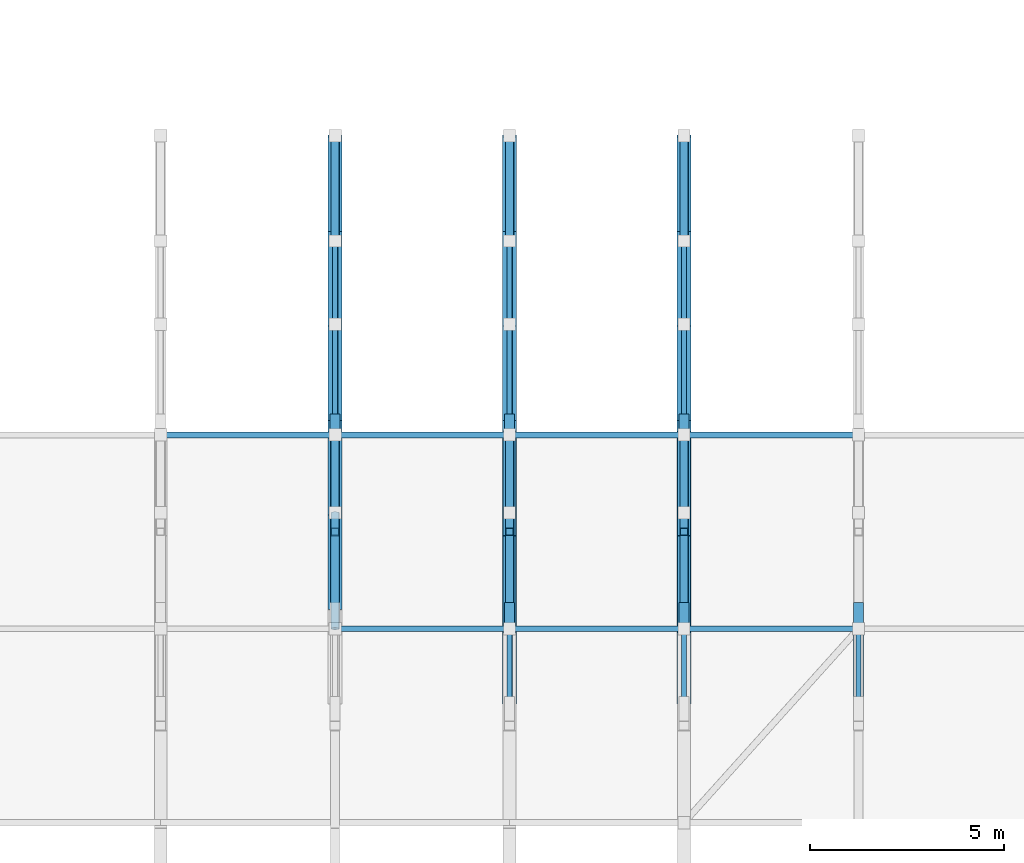
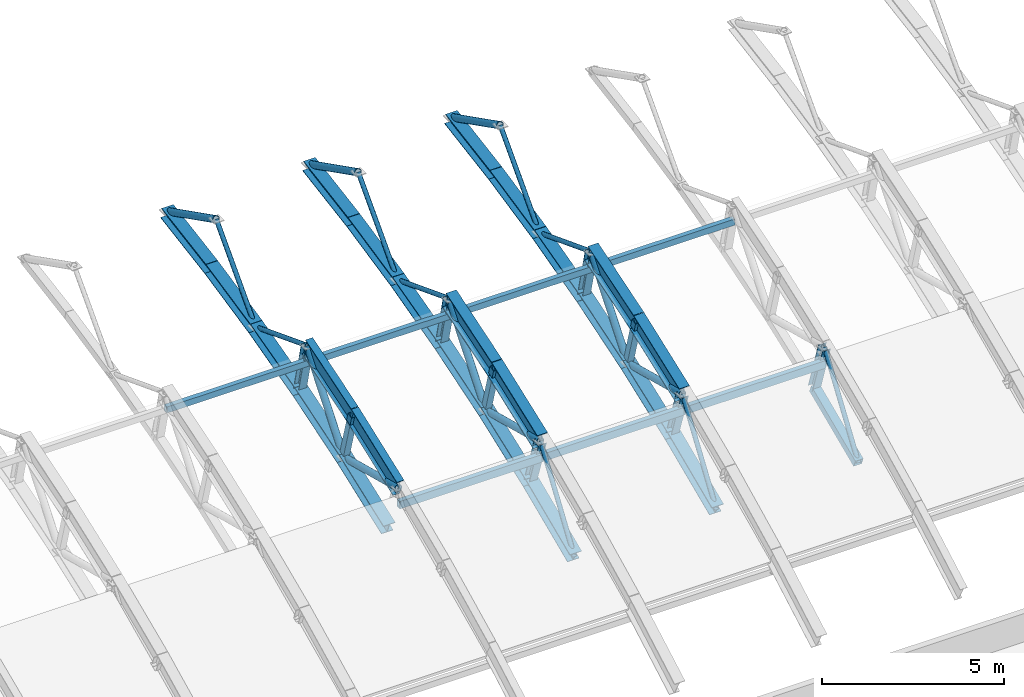
# One storey, part 39 of 103: 52 members, 6 beams.
"""IFC4 building model written with IfcOpenShell, lengths in metres."""

from ifc_helpers import new_model, si_unit, direction, frame, origin, origin_2d, place, context, subcontext, project, spatial, hollow_rectangle, hollow_circle, i_section, extrude, material, material_profile, profile_set, type_object, element, save


model = new_model("IFC4")

# Units and contexts
model_context = context("Model", 3, precision=1e-05, world=origin(), true_north=direction((0.0, 1.0)))
body_context = subcontext(model_context, "Body", "Model", "MODEL_VIEW")
ifc_project = project(units=[si_unit("LENGTHUNIT", "METRE"), si_unit("AREAUNIT", "SQUARE_METRE"), si_unit("VOLUMEUNIT", "CUBIC_METRE"), si_unit("PLANEANGLEUNIT", "RADIAN"), si_unit("MASSUNIT", "GRAM", prefix="KILO")], contexts=[model_context])

# Site, building, storey
site_placement = place(None, origin())
site = spatial("IfcSite", under=ifc_project, at=site_placement, CompositionType="ELEMENT")
building_placement = place(site_placement, origin())
building = spatial("IfcBuilding", under=site, at=building_placement, Name="Cazmaro Siding Exhibition Halls", CompositionType="ELEMENT")
storey_placement = place(building_placement, frame((0.0, 0.0, 16.5)))
storey = spatial("IfcBuildingStorey", under=building, at=storey_placement, Name="L03", CompositionType="ELEMENT", Elevation=16.5)

# Beams
ifc_material_1 = material(Name="Steel ASTM A992 Grade 50", Category="steel")
ifc_material_profile_1 = material_profile(ifc_material_1, i_section(OverallWidth=0.327880859375, OverallDepth=0.626953125, WebThickness=0.01708984375, FlangeThickness=0.028076171875, at=origin_2d()), Name="W24X146")
ifc_profile_set_1 = profile_set([ifc_material_profile_1], Name="Steel ASTM A992 Grade 50")
beam_type_1 = type_object("IfcBeamType", Name="AR-01", PredefinedType="USERDEFINED", material=ifc_profile_set_1)
beam_1_placement = place(storey_placement, frame((72.0, 74.0, 3.1220703125), z_axis=(0.0, 0.936509460339, 0.350642311615), x_axis=(-1.0, 0.0, 0.0)))
element("IfcBeam", 1, at=beam_1_placement, inside=storey, type_object=beam_type_1, Name="Space frame barrel vault arched rib AR-01 BM-0683", ObjectType="ARCHED RIB", PredefinedType="USERDEFINED", context=body_context, shape_type="SweptSolid", body=[
    extrude(i_section(OverallWidth=0.327880859375, OverallDepth=0.626953125, WebThickness=0.01708984375, FlangeThickness=0.028076171875, at=origin_2d()), origin(), (0.0, 0.0, 1.0), 2.66943359375),
])
beam_2_placement = place(storey_placement, frame((72.0, 76.5, 4.05810546875), z_axis=(0.0, 0.952769241759, 0.303695195811), x_axis=(-1.0, 0.0, 0.0)))
element("IfcBeam", 2, at=beam_2_placement, inside=storey, type_object=beam_type_1, Name="Space frame barrel vault arched rib AR-01 BM-0684", ObjectType="ARCHED RIB", PredefinedType="USERDEFINED", context=body_context, shape_type="SweptSolid", body=[
    extrude(i_section(OverallWidth=0.327880859375, OverallDepth=0.626953125, WebThickness=0.01708984375, FlangeThickness=0.028076171875, at=origin_2d()), origin(), (0.0, 0.0, 1.0), 2.6240234375),
])
ifc_material_2 = material(Name="Steel ASTM A992 Grade 50", Category="steel")
ifc_material_profile_2 = material_profile(ifc_material_2, i_section(OverallWidth=0.324951171875, OverallDepth=0.612060546875, WebThickness=0.012939453125, FlangeThickness=0.01904296875, at=origin_2d()), Name="W24X104")
ifc_profile_set_2 = profile_set([ifc_material_profile_2], Name="Steel ASTM A992 Grade 50")
beam_type_2 = type_object("IfcBeamType", Name="AR-02", PredefinedType="USERDEFINED", material=ifc_profile_set_2)
beam_3_placement = place(storey_placement, frame((76.5, 74.0, 3.1220703125), z_axis=(0.0, 0.936509460339, 0.350642311615), x_axis=(-1.0, 0.0, 0.0)))
element("IfcBeam", 3, at=beam_3_placement, inside=storey, type_object=beam_type_2, Name="Space frame barrel vault arched rib AR-02 BM-0707", ObjectType="ARCHED RIB", PredefinedType="USERDEFINED", context=body_context, shape_type="SweptSolid", body=[
    extrude(i_section(OverallWidth=0.324951171875, OverallDepth=0.612060546875, WebThickness=0.012939453125, FlangeThickness=0.01904296875, at=origin_2d()), origin(), (0.0, 0.0, 1.0), 2.66943359375),
])
beam_4_placement = place(storey_placement, frame((76.5, 76.5, 4.05810546875), z_axis=(0.0, 0.952769241759, 0.303695195811), x_axis=(-1.0, 0.0, 0.0)))
element("IfcBeam", 4, at=beam_4_placement, inside=storey, type_object=beam_type_2, Name="Space frame barrel vault arched rib AR-02 BM-0708", ObjectType="ARCHED RIB", PredefinedType="USERDEFINED", context=body_context, shape_type="SweptSolid", body=[
    extrude(i_section(OverallWidth=0.324951171875, OverallDepth=0.612060546875, WebThickness=0.012939453125, FlangeThickness=0.01904296875, at=origin_2d()), origin(), (0.0, 0.0, 1.0), 2.6240234375),
])
ifc_material_3 = material(Name="Steel ASTM A992 Grade 50", Category="steel")
ifc_material_profile_3 = material_profile(ifc_material_3, i_section(OverallWidth=0.22900390625, OverallDepth=0.612060546875, WebThickness=0.011962890625, FlangeThickness=0.02001953125, at=origin_2d()), Name="W24X84")
ifc_profile_set_3 = profile_set([ifc_material_profile_3], Name="Steel ASTM A992 Grade 50")
beam_type_3 = type_object("IfcBeamType", Name="AR-03", PredefinedType="USERDEFINED", material=ifc_profile_set_3)
beam_5_placement = place(storey_placement, frame((67.5, 74.0, 3.1220703125), z_axis=(0.0, 0.936509460339, 0.350642311615), x_axis=(-1.0, 0.0, 0.0)))
element("IfcBeam", 5, at=beam_5_placement, inside=storey, type_object=beam_type_3, Name="Space frame barrel vault arched rib AR-03 BM-0659", ObjectType="ARCHED RIB", PredefinedType="USERDEFINED", context=body_context, shape_type="SweptSolid", body=[
    extrude(i_section(OverallWidth=0.22900390625, OverallDepth=0.612060546875, WebThickness=0.011962890625, FlangeThickness=0.02001953125, at=origin_2d()), origin(), (0.0, 0.0, 1.0), 2.66943359375),
])
beam_6_placement = place(storey_placement, frame((67.5, 76.5, 4.05810546875), z_axis=(0.0, 0.952769241759, 0.303695195811), x_axis=(-1.0, 0.0, 0.0)))
element("IfcBeam", 6, at=beam_6_placement, inside=storey, type_object=beam_type_3, Name="Space frame barrel vault arched rib AR-03 BM-0660", ObjectType="ARCHED RIB", PredefinedType="USERDEFINED", context=body_context, shape_type="SweptSolid", body=[
    extrude(i_section(OverallWidth=0.22900390625, OverallDepth=0.612060546875, WebThickness=0.011962890625, FlangeThickness=0.02001953125, at=origin_2d()), origin(), (0.0, 0.0, 1.0), 2.6240234375),
])

# Members
ifc_material_4 = material(Name="Steel ASTM A500 Grade C", Category="steel")
ifc_material_profile_4 = material_profile(ifc_material_4, hollow_rectangle(XDim=0.152099609375, YDim=0.202880859375, WallThickness=0.011962890625, at=origin_2d()), Name="HSS8X6X1/2")
ifc_profile_set_4 = profile_set([ifc_material_profile_4], Name="Steel ASTM A500 Grade C")
member_type_1 = type_object("IfcMemberType", Name="RP-01", PredefinedType="PURLIN", material=ifc_profile_set_4)
for number, where, z_axis, x_axis, name in (
    (7, (63.0, 79.0, 4.31494140625), (1.0, 0.0, 0.0), (0.0, 1.0, 0.0), "Space frame barrel vault purlin RP-01 MEM-2016"),
    (8, (67.5, 79.0, 4.31494140625), (1.0, 0.0, 0.0), (0.0, 1.0, 0.0), "Space frame barrel vault purlin RP-01 MEM-2027"),
    (9, (72.0, 79.0, 4.31494140625), (1.0, 0.0, 0.0), (0.0, 1.0, 0.0), "Space frame barrel vault purlin RP-01 MEM-2038"),
    (10, (76.5, 79.0, 4.31494140625), (1.0, 0.0, 0.0), (0.0, 1.0, 0.0), "Space frame barrel vault purlin RP-01 MEM-2049"),
):
    element("IfcMember", number, at=place(storey_placement, frame(where, z_axis=z_axis, x_axis=x_axis)), inside=storey, type_object=member_type_1, Name=name, PredefinedType="PURLIN", context=body_context, shape_type="SweptSolid", body=[
        extrude(hollow_rectangle(XDim=0.152099609375, YDim=0.202880859375, WallThickness=0.011962890625, at=origin_2d()), origin(), (0.0, 0.0, 1.0), 4.5),
    ])
ifc_material_5 = material(Name="Steel ASTM A500 Grade C", Category="steel")
ifc_material_profile_5 = material_profile(ifc_material_5, hollow_rectangle(XDim=0.152099609375, YDim=0.25390625, WallThickness=0.011962890625, at=origin_2d()), Name="HSS10X6X1/2")
ifc_profile_set_5 = profile_set([ifc_material_profile_5], Name="Steel ASTM A500 Grade C")
member_type_2 = type_object("IfcMemberType", Name="RP-04", PredefinedType="PURLIN", material=ifc_profile_set_5)
for number, where, z_axis, x_axis, name in (
    (11, (67.5, 74.0, 2.58203125), (1.0, 0.0, 0.0), (0.0, 1.0, 0.0), "Space frame barrel vault purlin RP-04 MEM-2026"),
    (12, (72.0, 74.0, 2.58203125), (1.0, 0.0, 0.0), (0.0, 1.0, 0.0), "Space frame barrel vault purlin RP-04 MEM-2037"),
    (13, (76.5, 74.0, 2.58203125), (1.0, 0.0, 0.0), (0.0, 1.0, 0.0), "Space frame barrel vault purlin RP-04 MEM-2048"),
):
    element("IfcMember", number, at=place(storey_placement, frame(where, z_axis=z_axis, x_axis=x_axis)), inside=storey, type_object=member_type_2, Name=name, PredefinedType="PURLIN", context=body_context, shape_type="SweptSolid", body=[
        extrude(hollow_rectangle(XDim=0.152099609375, YDim=0.25390625, WallThickness=0.011962890625, at=origin_2d()), origin(), (0.0, 0.0, 1.0), 4.5),
    ])
ifc_material_6 = material(Name="Steel ASTM A500 Grade C", Category="steel")
ifc_material_profile_6 = material_profile(ifc_material_6, hollow_rectangle(XDim=0.25390625, YDim=0.25390625, WallThickness=0.014892578125, at=origin_2d()), Name="HSS10X10X5/8")
ifc_profile_set_6 = profile_set([ifc_material_profile_6], Name="Steel ASTM A500 Grade C")
member_type_3 = type_object("IfcMemberType", Name="TC-01", PredefinedType="CHORD", material=ifc_profile_set_6)
member_1_placement = place(storey_placement, frame((81.0, 72.131103515625, 0.37890625), z_axis=(0.0, 0.917689003843, 0.397299499403), x_axis=(-1.0, 0.0, 0.0)))
element("IfcMember", 14, at=member_1_placement, inside=storey, type_object=member_type_3, Name="Space frame barrel vault bottom chord TC-01 MEM-0527", PredefinedType="CHORD", context=body_context, shape_type="SweptSolid", body=[
    extrude(hollow_rectangle(XDim=0.25390625, YDim=0.25390625, WallThickness=0.014892578125, at=origin_2d()), origin(), (0.0, 0.0, 1.0), 2.64794921875),
])
ifc_material_7 = material(Name="Steel ASTM A992 Grade 50", Category="steel")
ifc_material_profile_7 = material_profile(ifc_material_7, i_section(OverallWidth=0.37109375, OverallDepth=0.364013671875, WebThickness=0.012939453125, FlangeThickness=0.02197265625, at=origin_2d()), Name="W14X109")
ifc_profile_set_7 = profile_set([ifc_material_profile_7], Name="Steel ASTM A992 Grade 50")
member_type_4 = type_object("IfcMemberType", Name="TC-06", PredefinedType="CHORD", material=ifc_profile_set_7)
member_2_placement = place(storey_placement, frame((67.5, 74.56103515625, 1.430908203125), z_axis=(0.0, 0.936588022869, 0.350432412053), x_axis=(-1.0, 0.0, 0.0)))
element("IfcMember", 15, at=member_2_placement, inside=storey, type_object=member_type_4, Name="Space frame barrel vault bottom chord TC-06 MEM-0316", PredefinedType="CHORD", context=body_context, shape_type="SweptSolid", body=[
    extrude(i_section(OverallWidth=0.37109375, OverallDepth=0.364013671875, WebThickness=0.012939453125, FlangeThickness=0.02197265625, at=origin_2d()), origin(), (0.0, 0.0, 1.0), 2.594482421875),
])
member_3_placement = place(storey_placement, frame((67.5, 76.990966796875, 2.340087890625), z_axis=(0.0, 0.952692842525, 0.303934775573), x_axis=(-1.0, 0.0, 0.0)))
element("IfcMember", 16, at=member_3_placement, inside=storey, type_object=member_type_4, Name="Space frame barrel vault bottom chord TC-06 MEM-0318", PredefinedType="CHORD", context=body_context, shape_type="SweptSolid", body=[
    extrude(i_section(OverallWidth=0.37109375, OverallDepth=0.364013671875, WebThickness=0.012939453125, FlangeThickness=0.02197265625, at=origin_2d()), origin(), (0.0, 0.0, 1.0), 2.549560546875),
])
member_4_placement = place(storey_placement, frame((67.5, 79.419921875, 3.114990234375), z_axis=(0.0, 0.966437683387, 0.256901156343), x_axis=(-1.0, 0.0, 0.0)))
element("IfcMember", 17, at=member_4_placement, inside=storey, type_object=member_type_4, Name="Space frame barrel vault bottom chord TC-06 MEM-0320", PredefinedType="CHORD", context=body_context, shape_type="SweptSolid", body=[
    extrude(i_section(OverallWidth=0.37109375, OverallDepth=0.364013671875, WebThickness=0.012939453125, FlangeThickness=0.02197265625, at=origin_2d()), origin(), (0.0, 0.0, 1.0), 2.5146484375),
])
member_5_placement = place(storey_placement, frame((67.5, 81.85009765625, 3.760986328125), z_axis=(0.0, 0.977697351532, 0.210018782033), x_axis=(-1.0, 0.0, 0.0)))
element("IfcMember", 18, at=member_5_placement, inside=storey, type_object=member_type_4, Name="Space frame barrel vault bottom chord TC-06 MEM-0322", PredefinedType="CHORD", context=body_context, shape_type="SweptSolid", body=[
    extrude(i_section(OverallWidth=0.37109375, OverallDepth=0.364013671875, WebThickness=0.012939453125, FlangeThickness=0.02197265625, at=origin_2d()), origin(), (0.0, 0.0, 1.0), 2.4853515625),
])
member_6_placement = place(storey_placement, frame((67.5, 84.280029296875, 4.282958984375), z_axis=(0.0, 0.986455464336, 0.164029317138), x_axis=(-1.0, 0.0, 0.0)))
element("IfcMember", 19, at=member_6_placement, inside=storey, type_object=member_type_4, Name="Space frame barrel vault bottom chord TC-06 MEM-0324", PredefinedType="CHORD", context=body_context, shape_type="SweptSolid", body=[
    extrude(i_section(OverallWidth=0.37109375, OverallDepth=0.364013671875, WebThickness=0.012939453125, FlangeThickness=0.02197265625, at=origin_2d()), origin(), (0.0, 0.0, 1.0), 2.46337890625),
])
member_7_placement = place(storey_placement, frame((72.0, 72.131103515625, 0.37890625), z_axis=(0.0, 0.917689003843, 0.397299499403), x_axis=(-1.0, 0.0, 0.0)))
element("IfcMember", 20, at=member_7_placement, inside=storey, type_object=member_type_4, Name="Space frame barrel vault bottom chord TC-06 MEM-0385", PredefinedType="CHORD", context=body_context, shape_type="SweptSolid", body=[
    extrude(i_section(OverallWidth=0.37109375, OverallDepth=0.364013671875, WebThickness=0.012939453125, FlangeThickness=0.02197265625, at=origin_2d()), origin(), (0.0, 0.0, 1.0), 2.64794921875),
])
member_8_placement = place(storey_placement, frame((72.0, 74.56103515625, 1.430908203125), z_axis=(0.0, 0.936588022869, 0.350432412053), x_axis=(-1.0, 0.0, 0.0)))
element("IfcMember", 21, at=member_8_placement, inside=storey, type_object=member_type_4, Name="Space frame barrel vault bottom chord TC-06 MEM-0387", PredefinedType="CHORD", context=body_context, shape_type="SweptSolid", body=[
    extrude(i_section(OverallWidth=0.37109375, OverallDepth=0.364013671875, WebThickness=0.012939453125, FlangeThickness=0.02197265625, at=origin_2d()), origin(), (0.0, 0.0, 1.0), 2.594482421875),
])
member_9_placement = place(storey_placement, frame((72.0, 76.990966796875, 2.340087890625), z_axis=(0.0, 0.952692842525, 0.303934775573), x_axis=(-1.0, 0.0, 0.0)))
element("IfcMember", 22, at=member_9_placement, inside=storey, type_object=member_type_4, Name="Space frame barrel vault bottom chord TC-06 MEM-0389", PredefinedType="CHORD", context=body_context, shape_type="SweptSolid", body=[
    extrude(i_section(OverallWidth=0.37109375, OverallDepth=0.364013671875, WebThickness=0.012939453125, FlangeThickness=0.02197265625, at=origin_2d()), origin(), (0.0, 0.0, 1.0), 2.549560546875),
])
member_10_placement = place(storey_placement, frame((72.0, 79.419921875, 3.114990234375), z_axis=(0.0, 0.966437683387, 0.256901156343), x_axis=(-1.0, 0.0, 0.0)))
element("IfcMember", 23, at=member_10_placement, inside=storey, type_object=member_type_4, Name="Space frame barrel vault bottom chord TC-06 MEM-0391", PredefinedType="CHORD", context=body_context, shape_type="SweptSolid", body=[
    extrude(i_section(OverallWidth=0.37109375, OverallDepth=0.364013671875, WebThickness=0.012939453125, FlangeThickness=0.02197265625, at=origin_2d()), origin(), (0.0, 0.0, 1.0), 2.5146484375),
])
member_11_placement = place(storey_placement, frame((72.0, 81.85009765625, 3.760986328125), z_axis=(0.0, 0.977697351532, 0.210018782033), x_axis=(-1.0, 0.0, 0.0)))
element("IfcMember", 24, at=member_11_placement, inside=storey, type_object=member_type_4, Name="Space frame barrel vault bottom chord TC-06 MEM-0393", PredefinedType="CHORD", context=body_context, shape_type="SweptSolid", body=[
    extrude(i_section(OverallWidth=0.37109375, OverallDepth=0.364013671875, WebThickness=0.012939453125, FlangeThickness=0.02197265625, at=origin_2d()), origin(), (0.0, 0.0, 1.0), 2.4853515625),
])
member_12_placement = place(storey_placement, frame((72.0, 84.280029296875, 4.282958984375), z_axis=(0.0, 0.986455464336, 0.164029317138), x_axis=(-1.0, 0.0, 0.0)))
element("IfcMember", 25, at=member_12_placement, inside=storey, type_object=member_type_4, Name="Space frame barrel vault bottom chord TC-06 MEM-0395", PredefinedType="CHORD", context=body_context, shape_type="SweptSolid", body=[
    extrude(i_section(OverallWidth=0.37109375, OverallDepth=0.364013671875, WebThickness=0.012939453125, FlangeThickness=0.02197265625, at=origin_2d()), origin(), (0.0, 0.0, 1.0), 2.46337890625),
])
member_13_placement = place(storey_placement, frame((76.5, 72.131103515625, 0.37890625), z_axis=(0.0, 0.917689003843, 0.397299499403), x_axis=(-1.0, 0.0, 0.0)))
element("IfcMember", 26, at=member_13_placement, inside=storey, type_object=member_type_4, Name="Space frame barrel vault bottom chord TC-06 MEM-0456", PredefinedType="CHORD", context=body_context, shape_type="SweptSolid", body=[
    extrude(i_section(OverallWidth=0.37109375, OverallDepth=0.364013671875, WebThickness=0.012939453125, FlangeThickness=0.02197265625, at=origin_2d()), origin(), (0.0, 0.0, 1.0), 2.64794921875),
])
member_14_placement = place(storey_placement, frame((76.5, 74.56103515625, 1.430908203125), z_axis=(0.0, 0.936588022869, 0.350432412053), x_axis=(-1.0, 0.0, 0.0)))
element("IfcMember", 27, at=member_14_placement, inside=storey, type_object=member_type_4, Name="Space frame barrel vault bottom chord TC-06 MEM-0458", PredefinedType="CHORD", context=body_context, shape_type="SweptSolid", body=[
    extrude(i_section(OverallWidth=0.37109375, OverallDepth=0.364013671875, WebThickness=0.012939453125, FlangeThickness=0.02197265625, at=origin_2d()), origin(), (0.0, 0.0, 1.0), 2.594482421875),
])
member_15_placement = place(storey_placement, frame((76.5, 76.990966796875, 2.340087890625), z_axis=(0.0, 0.952692842525, 0.303934775573), x_axis=(-1.0, 0.0, 0.0)))
element("IfcMember", 28, at=member_15_placement, inside=storey, type_object=member_type_4, Name="Space frame barrel vault bottom chord TC-06 MEM-0460", PredefinedType="CHORD", context=body_context, shape_type="SweptSolid", body=[
    extrude(i_section(OverallWidth=0.37109375, OverallDepth=0.364013671875, WebThickness=0.012939453125, FlangeThickness=0.02197265625, at=origin_2d()), origin(), (0.0, 0.0, 1.0), 2.549560546875),
])
member_16_placement = place(storey_placement, frame((76.5, 79.419921875, 3.114990234375), z_axis=(0.0, 0.966437683387, 0.256901156343), x_axis=(-1.0, 0.0, 0.0)))
element("IfcMember", 29, at=member_16_placement, inside=storey, type_object=member_type_4, Name="Space frame barrel vault bottom chord TC-06 MEM-0462", PredefinedType="CHORD", context=body_context, shape_type="SweptSolid", body=[
    extrude(i_section(OverallWidth=0.37109375, OverallDepth=0.364013671875, WebThickness=0.012939453125, FlangeThickness=0.02197265625, at=origin_2d()), origin(), (0.0, 0.0, 1.0), 2.5146484375),
])
member_17_placement = place(storey_placement, frame((76.5, 81.85009765625, 3.760986328125), z_axis=(0.0, 0.977697351532, 0.210018782033), x_axis=(-1.0, 0.0, 0.0)))
element("IfcMember", 30, at=member_17_placement, inside=storey, type_object=member_type_4, Name="Space frame barrel vault bottom chord TC-06 MEM-0464", PredefinedType="CHORD", context=body_context, shape_type="SweptSolid", body=[
    extrude(i_section(OverallWidth=0.37109375, OverallDepth=0.364013671875, WebThickness=0.012939453125, FlangeThickness=0.02197265625, at=origin_2d()), origin(), (0.0, 0.0, 1.0), 2.4853515625),
])
member_18_placement = place(storey_placement, frame((76.5, 84.280029296875, 4.282958984375), z_axis=(0.0, 0.986455464336, 0.164029317138), x_axis=(-1.0, 0.0, 0.0)))
element("IfcMember", 31, at=member_18_placement, inside=storey, type_object=member_type_4, Name="Space frame barrel vault bottom chord TC-06 MEM-0466", PredefinedType="CHORD", context=body_context, shape_type="SweptSolid", body=[
    extrude(i_section(OverallWidth=0.37109375, OverallDepth=0.364013671875, WebThickness=0.012939453125, FlangeThickness=0.02197265625, at=origin_2d()), origin(), (0.0, 0.0, 1.0), 2.46337890625),
])
ifc_material_8 = material(Name="Steel ASTM A500 Grade C", Category="steel")
ifc_material_profile_8 = material_profile(ifc_material_8, hollow_rectangle(XDim=0.202880859375, YDim=0.202880859375, WallThickness=0.011962890625, at=origin_2d()), Name="HSS8X8X1/2")
ifc_profile_set_8 = profile_set([ifc_material_profile_8], Name="Steel ASTM A500 Grade C")
member_type_5 = type_object("IfcMemberType", Name="TP-01", PredefinedType="POST", material=ifc_profile_set_8)
for number, where, z_axis, x_axis, name in (
    (32, (67.5, 76.990966796875, 2.340087890625), (0.0, -0.274775266308, 0.961508477875), (1.0, 0.0, 0.0), "Space frame barrel vault post TP-01 MEM-0360"),
    (33, (72.0, 76.990966796875, 2.340087890625), (0.0, -0.274775266308, 0.961508477875), (1.0, 0.0, 0.0), "Space frame barrel vault post TP-01 MEM-0431"),
    (34, (76.5, 76.990966796875, 2.340087890625), (0.0, -0.274775266308, 0.961508477875), (1.0, 0.0, 0.0), "Space frame barrel vault post TP-01 MEM-0502"),
):
    element("IfcMember", number, at=place(storey_placement, frame(where, z_axis=z_axis, x_axis=x_axis)), inside=storey, type_object=member_type_5, Name=name, PredefinedType="POST", context=body_context, shape_type="SweptSolid", body=[
        extrude(hollow_rectangle(XDim=0.202880859375, YDim=0.202880859375, WallThickness=0.011962890625, at=origin_2d()), origin(), (0.0, 0.0, 1.0), 1.786865234375),
    ])
ifc_material_9 = material(Name="Steel ASTM A992 Grade 50", Category="steel")
ifc_material_profile_9 = material_profile(ifc_material_9, i_section(OverallWidth=0.25390625, OverallDepth=0.25390625, WebThickness=0.009033203125, FlangeThickness=0.013916015625, at=origin_2d()), Name="W10X49")
ifc_profile_set_9 = profile_set([ifc_material_profile_9], Name="Steel ASTM A992 Grade 50")
member_type_6 = type_object("IfcMemberType", Name="TP-04", PredefinedType="POST", material=ifc_profile_set_9)
member_19_placement = place(storey_placement, frame((67.5, 79.419921875, 3.114990234375), z_axis=(0.0, -0.234600533729, 0.972091862724), x_axis=(1.0, 0.0, 0.0)))
element("IfcMember", 35, at=member_19_placement, inside=storey, type_object=member_type_6, Name="Space frame barrel vault post TP-04 MEM-0361", PredefinedType="POST", context=body_context, shape_type="SweptSolid", body=[
    extrude(i_section(OverallWidth=0.25390625, OverallDepth=0.25390625, WebThickness=0.009033203125, FlangeThickness=0.013916015625, at=origin_2d()), origin(), (0.0, 0.0, 1.0), 1.7900390625),
])
member_20_placement = place(storey_placement, frame((72.0, 74.56103515625, 1.430908203125), z_axis=(0.0, -0.314870949103, 0.949134492794), x_axis=(1.0, 0.0, 0.0)))
element("IfcMember", 36, at=member_20_placement, inside=storey, type_object=member_type_6, Name="Space frame barrel vault post TP-04 MEM-0430", PredefinedType="POST", context=body_context, shape_type="SweptSolid", body=[
    extrude(i_section(OverallWidth=0.25390625, OverallDepth=0.25390625, WebThickness=0.009033203125, FlangeThickness=0.013916015625, at=origin_2d()), origin(), (0.0, 0.0, 1.0), 1.78173828125),
])
member_21_placement = place(storey_placement, frame((72.0, 79.419921875, 3.114990234375), z_axis=(0.0, -0.234600533729, 0.972091862724), x_axis=(1.0, 0.0, 0.0)))
element("IfcMember", 37, at=member_21_placement, inside=storey, type_object=member_type_6, Name="Space frame barrel vault post TP-04 MEM-0432", PredefinedType="POST", context=body_context, shape_type="SweptSolid", body=[
    extrude(i_section(OverallWidth=0.25390625, OverallDepth=0.25390625, WebThickness=0.009033203125, FlangeThickness=0.013916015625, at=origin_2d()), origin(), (0.0, 0.0, 1.0), 1.7900390625),
])
member_22_placement = place(storey_placement, frame((76.5, 74.56103515625, 1.430908203125), z_axis=(0.0, -0.314870949103, 0.949134492794), x_axis=(1.0, 0.0, 0.0)))
element("IfcMember", 38, at=member_22_placement, inside=storey, type_object=member_type_6, Name="Space frame barrel vault post TP-04 MEM-0501", PredefinedType="POST", context=body_context, shape_type="SweptSolid", body=[
    extrude(i_section(OverallWidth=0.25390625, OverallDepth=0.25390625, WebThickness=0.009033203125, FlangeThickness=0.013916015625, at=origin_2d()), origin(), (0.0, 0.0, 1.0), 1.78173828125),
])
member_23_placement = place(storey_placement, frame((76.5, 79.419921875, 3.114990234375), z_axis=(0.0, -0.234600533729, 0.972091862724), x_axis=(1.0, 0.0, 0.0)))
element("IfcMember", 39, at=member_23_placement, inside=storey, type_object=member_type_6, Name="Space frame barrel vault post TP-04 MEM-0503", PredefinedType="POST", context=body_context, shape_type="SweptSolid", body=[
    extrude(i_section(OverallWidth=0.25390625, OverallDepth=0.25390625, WebThickness=0.009033203125, FlangeThickness=0.013916015625, at=origin_2d()), origin(), (0.0, 0.0, 1.0), 1.7900390625),
])
member_24_placement = place(storey_placement, frame((81.0, 74.56103515625, 1.430908203125), z_axis=(0.0, -0.314870949103, 0.949134492794), x_axis=(1.0, 0.0, 0.0)))
element("IfcMember", 40, at=member_24_placement, inside=storey, type_object=member_type_6, Name="Space frame barrel vault post TP-04 MEM-0572", PredefinedType="POST", context=body_context, shape_type="SweptSolid", body=[
    extrude(i_section(OverallWidth=0.25390625, OverallDepth=0.25390625, WebThickness=0.009033203125, FlangeThickness=0.013916015625, at=origin_2d()), origin(), (0.0, 0.0, 1.0), 1.78173828125),
])
ifc_material_10 = material(Name="Steel ASTM A500 Grade C", Category="steel")
ifc_material_profile_10 = material_profile(ifc_material_10, hollow_circle(Radius=0.109619140625, WallThickness=0.012939453125, at=origin_2d()), Name="PIPE8XS")
ifc_profile_set_10 = profile_set([ifc_material_profile_10], Name="Steel ASTM A500 Grade C")
member_type_7 = type_object("IfcMemberType", Name="WB-01", PredefinedType="BRACE", material=ifc_profile_set_10)
member_25_placement = place(storey_placement, frame((67.5, 74.0, 3.1220703125), z_axis=(0.0, 0.967480432857, -0.252945867802), x_axis=(-1.0, 0.0, 0.0)))
element("IfcMember", 41, at=member_25_placement, inside=storey, type_object=member_type_7, Name="Space frame barrel vault diagonal WB-01 MEM-0317", PredefinedType="BRACE", context=body_context, shape_type="SweptSolid", body=[
    extrude(hollow_circle(Radius=0.109619140625, WallThickness=0.012939453125, at=origin_2d()), origin(), (0.0, 0.0, 1.0), 3.091552734375),
])
member_26_placement = place(storey_placement, frame((67.5, 76.990966796875, 2.340087890625), z_axis=(0.0, 0.624149162907, 0.781305204412), x_axis=(-1.0, 0.0, 0.0)))
element("IfcMember", 42, at=member_26_placement, inside=storey, type_object=member_type_7, Name="Space frame barrel vault diagonal WB-01 MEM-0319", PredefinedType="BRACE", context=body_context, shape_type="SweptSolid", body=[
    extrude(hollow_circle(Radius=0.109619140625, WallThickness=0.012939453125, at=origin_2d()), origin(), (0.0, 0.0, 1.0), 3.21875),
])
member_27_placement = place(storey_placement, frame((67.5, 84.0, 6.056884765625), z_axis=(0.0, 0.892456788218, -0.451132886369), x_axis=(-1.0, 0.0, 0.0)))
element("IfcMember", 43, at=member_27_placement, inside=storey, type_object=member_type_7, Name="Space frame barrel vault diagonal WB-01 MEM-0325", PredefinedType="BRACE", context=body_context, shape_type="SweptSolid", body=[
    extrude(hollow_circle(Radius=0.109619140625, WallThickness=0.012939453125, at=origin_2d()), origin(), (0.0, 0.0, 1.0), 3.03662109375),
])
member_28_placement = place(storey_placement, frame((72.0, 74.0, 3.1220703125), z_axis=(0.0, 0.967480432857, -0.252945867802), x_axis=(-1.0, 0.0, 0.0)))
element("IfcMember", 44, at=member_28_placement, inside=storey, type_object=member_type_7, Name="Space frame barrel vault diagonal WB-01 MEM-0388", PredefinedType="BRACE", context=body_context, shape_type="SweptSolid", body=[
    extrude(hollow_circle(Radius=0.109619140625, WallThickness=0.012939453125, at=origin_2d()), origin(), (0.0, 0.0, 1.0), 3.091552734375),
])
member_29_placement = place(storey_placement, frame((72.0, 76.990966796875, 2.340087890625), z_axis=(0.0, 0.624149162907, 0.781305204412), x_axis=(-1.0, 0.0, 0.0)))
element("IfcMember", 45, at=member_29_placement, inside=storey, type_object=member_type_7, Name="Space frame barrel vault diagonal WB-01 MEM-0390", PredefinedType="BRACE", context=body_context, shape_type="SweptSolid", body=[
    extrude(hollow_circle(Radius=0.109619140625, WallThickness=0.012939453125, at=origin_2d()), origin(), (0.0, 0.0, 1.0), 3.21875),
])
member_30_placement = place(storey_placement, frame((72.0, 84.0, 6.056884765625), z_axis=(0.0, 0.892456788218, -0.451132886369), x_axis=(-1.0, 0.0, 0.0)))
element("IfcMember", 46, at=member_30_placement, inside=storey, type_object=member_type_7, Name="Space frame barrel vault diagonal WB-01 MEM-0396", PredefinedType="BRACE", context=body_context, shape_type="SweptSolid", body=[
    extrude(hollow_circle(Radius=0.109619140625, WallThickness=0.012939453125, at=origin_2d()), origin(), (0.0, 0.0, 1.0), 3.03662109375),
])
member_31_placement = place(storey_placement, frame((76.5, 74.0, 3.1220703125), z_axis=(0.0, 0.967480432857, -0.252945867802), x_axis=(-1.0, 0.0, 0.0)))
element("IfcMember", 47, at=member_31_placement, inside=storey, type_object=member_type_7, Name="Space frame barrel vault diagonal WB-01 MEM-0459", PredefinedType="BRACE", context=body_context, shape_type="SweptSolid", body=[
    extrude(hollow_circle(Radius=0.109619140625, WallThickness=0.012939453125, at=origin_2d()), origin(), (0.0, 0.0, 1.0), 3.091552734375),
])
member_32_placement = place(storey_placement, frame((76.5, 76.990966796875, 2.340087890625), z_axis=(0.0, 0.624149162907, 0.781305204412), x_axis=(-1.0, 0.0, 0.0)))
element("IfcMember", 48, at=member_32_placement, inside=storey, type_object=member_type_7, Name="Space frame barrel vault diagonal WB-01 MEM-0461", PredefinedType="BRACE", context=body_context, shape_type="SweptSolid", body=[
    extrude(hollow_circle(Radius=0.109619140625, WallThickness=0.012939453125, at=origin_2d()), origin(), (0.0, 0.0, 1.0), 3.21875),
])
member_33_placement = place(storey_placement, frame((76.5, 84.0, 6.056884765625), z_axis=(0.0, 0.892456788218, -0.451132886369), x_axis=(-1.0, 0.0, 0.0)))
element("IfcMember", 49, at=member_33_placement, inside=storey, type_object=member_type_7, Name="Space frame barrel vault diagonal WB-01 MEM-0467", PredefinedType="BRACE", context=body_context, shape_type="SweptSolid", body=[
    extrude(hollow_circle(Radius=0.109619140625, WallThickness=0.012939453125, at=origin_2d()), origin(), (0.0, 0.0, 1.0), 3.03662109375),
])
ifc_material_11 = material(Name="Steel ASTM A500 Grade C", Category="steel")
ifc_material_profile_11 = material_profile(ifc_material_11, hollow_circle(Radius=0.070556640625, WallThickness=0.01904296875, at=origin_2d()), Name="PIPE5XXS")
ifc_profile_set_11 = profile_set([ifc_material_profile_11], Name="Steel ASTM A500 Grade C")
member_type_8 = type_object("IfcMemberType", Name="WB-07", PredefinedType="BRACE", material=ifc_profile_set_11)
member_34_placement = place(storey_placement, frame((67.5, 79.0, 4.85498046875), z_axis=(0.0, 0.933586546586, -0.358352005761), x_axis=(-1.0, 0.0, 0.0)))
element("IfcMember", 50, at=member_34_placement, inside=storey, type_object=member_type_8, Name="Space frame barrel vault diagonal WB-07 MEM-0321", PredefinedType="BRACE", context=body_context, shape_type="SweptSolid", body=[
    extrude(hollow_circle(Radius=0.070556640625, WallThickness=0.01904296875, at=origin_2d()), origin(), (0.0, 0.0, 1.0), 3.052734375),
])
member_35_placement = place(storey_placement, frame((67.5, 81.85009765625, 3.760986328125), z_axis=(0.0, 0.683517575744, 0.729934054315), x_axis=(-1.0, 0.0, 0.0)))
element("IfcMember", 51, at=member_35_placement, inside=storey, type_object=member_type_8, Name="Space frame barrel vault diagonal WB-07 MEM-0323", PredefinedType="BRACE", context=body_context, shape_type="SweptSolid", body=[
    extrude(hollow_circle(Radius=0.070556640625, WallThickness=0.01904296875, at=origin_2d()), origin(), (0.0, 0.0, 1.0), 3.145263671875),
])
member_36_placement = place(storey_placement, frame((72.0, 72.131103515625, 0.37890625), z_axis=(0.0, 0.563040090795, 0.826429583302), x_axis=(-1.0, 0.0, 0.0)))
element("IfcMember", 52, at=member_36_placement, inside=storey, type_object=member_type_8, Name="Space frame barrel vault diagonal WB-07 MEM-0386", PredefinedType="BRACE", context=body_context, shape_type="SweptSolid", body=[
    extrude(hollow_circle(Radius=0.070556640625, WallThickness=0.01904296875, at=origin_2d()), origin(), (0.0, 0.0, 1.0), 3.3193359375),
])
member_37_placement = place(storey_placement, frame((72.0, 79.0, 4.85498046875), z_axis=(0.0, 0.933586546586, -0.358352005761), x_axis=(-1.0, 0.0, 0.0)))
element("IfcMember", 53, at=member_37_placement, inside=storey, type_object=member_type_8, Name="Space frame barrel vault diagonal WB-07 MEM-0392", PredefinedType="BRACE", context=body_context, shape_type="SweptSolid", body=[
    extrude(hollow_circle(Radius=0.070556640625, WallThickness=0.01904296875, at=origin_2d()), origin(), (0.0, 0.0, 1.0), 3.052734375),
])
member_38_placement = place(storey_placement, frame((72.0, 81.85009765625, 3.760986328125), z_axis=(0.0, 0.683517575744, 0.729934054315), x_axis=(-1.0, 0.0, 0.0)))
element("IfcMember", 54, at=member_38_placement, inside=storey, type_object=member_type_8, Name="Space frame barrel vault diagonal WB-07 MEM-0394", PredefinedType="BRACE", context=body_context, shape_type="SweptSolid", body=[
    extrude(hollow_circle(Radius=0.070556640625, WallThickness=0.01904296875, at=origin_2d()), origin(), (0.0, 0.0, 1.0), 3.145263671875),
])
member_39_placement = place(storey_placement, frame((76.5, 72.131103515625, 0.37890625), z_axis=(0.0, 0.563040090795, 0.826429583302), x_axis=(-1.0, 0.0, 0.0)))
element("IfcMember", 55, at=member_39_placement, inside=storey, type_object=member_type_8, Name="Space frame barrel vault diagonal WB-07 MEM-0457", PredefinedType="BRACE", context=body_context, shape_type="SweptSolid", body=[
    extrude(hollow_circle(Radius=0.070556640625, WallThickness=0.01904296875, at=origin_2d()), origin(), (0.0, 0.0, 1.0), 3.3193359375),
])
member_40_placement = place(storey_placement, frame((76.5, 79.0, 4.85498046875), z_axis=(0.0, 0.933586546586, -0.358352005761), x_axis=(-1.0, 0.0, 0.0)))
element("IfcMember", 56, at=member_40_placement, inside=storey, type_object=member_type_8, Name="Space frame barrel vault diagonal WB-07 MEM-0463", PredefinedType="BRACE", context=body_context, shape_type="SweptSolid", body=[
    extrude(hollow_circle(Radius=0.070556640625, WallThickness=0.01904296875, at=origin_2d()), origin(), (0.0, 0.0, 1.0), 3.052734375),
])
member_41_placement = place(storey_placement, frame((76.5, 81.85009765625, 3.760986328125), z_axis=(0.0, 0.683517575744, 0.729934054315), x_axis=(-1.0, 0.0, 0.0)))
element("IfcMember", 57, at=member_41_placement, inside=storey, type_object=member_type_8, Name="Space frame barrel vault diagonal WB-07 MEM-0465", PredefinedType="BRACE", context=body_context, shape_type="SweptSolid", body=[
    extrude(hollow_circle(Radius=0.070556640625, WallThickness=0.01904296875, at=origin_2d()), origin(), (0.0, 0.0, 1.0), 3.145263671875),
])
member_42_placement = place(storey_placement, frame((81.0, 72.131103515625, 0.37890625), z_axis=(0.0, 0.563040090795, 0.826429583302), x_axis=(-1.0, 0.0, 0.0)))
element("IfcMember", 58, at=member_42_placement, inside=storey, type_object=member_type_8, Name="Space frame barrel vault diagonal WB-07 MEM-0528", PredefinedType="BRACE", context=body_context, shape_type="SweptSolid", body=[
    extrude(hollow_circle(Radius=0.070556640625, WallThickness=0.01904296875, at=origin_2d()), origin(), (0.0, 0.0, 1.0), 3.3193359375),
])

save(model, "model.ifc")
